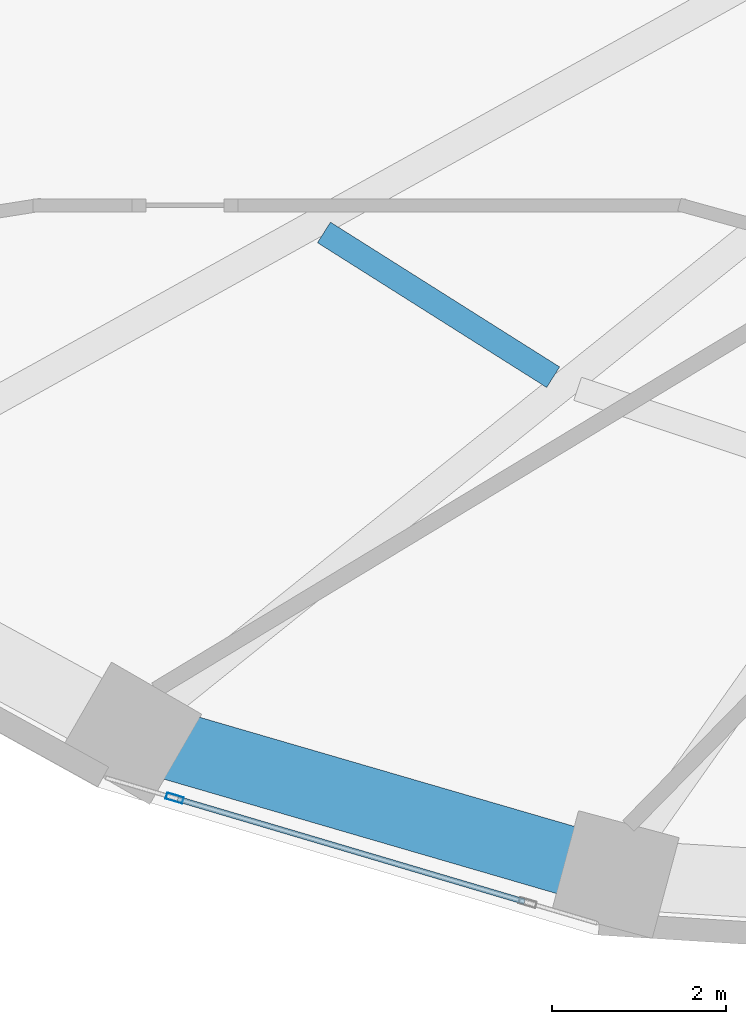
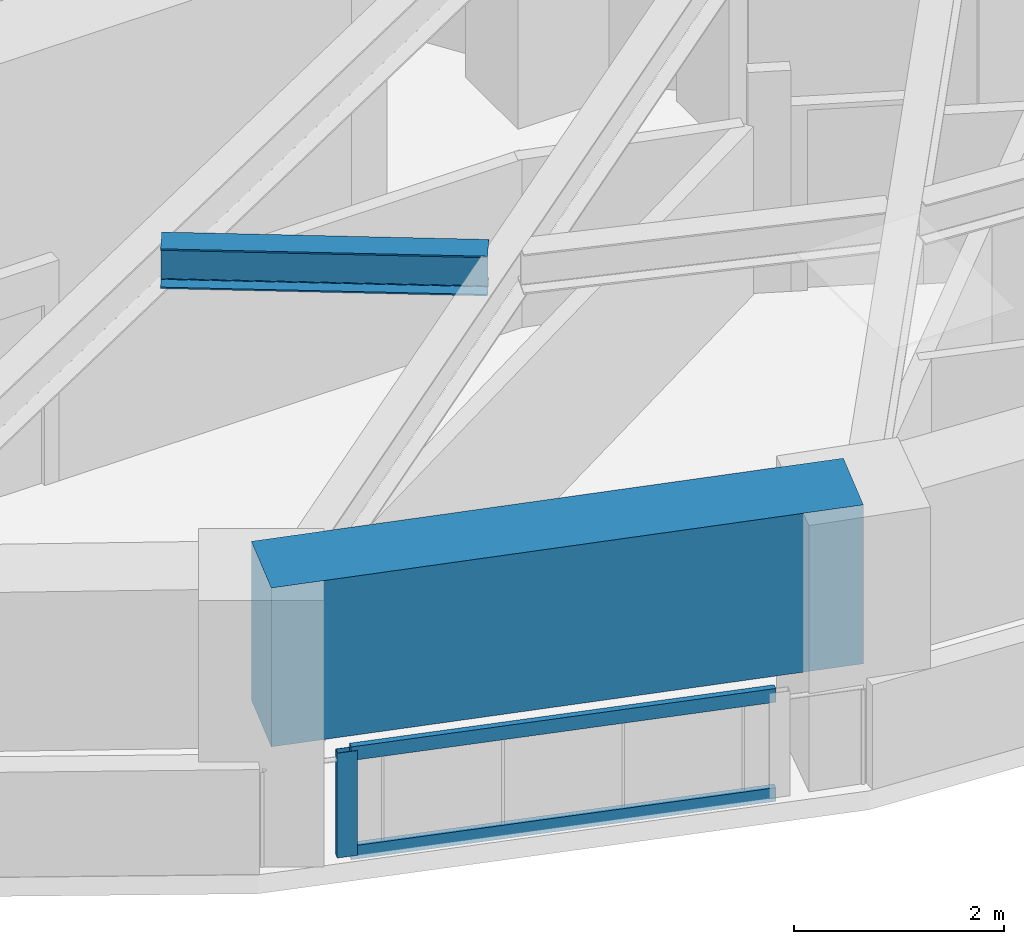
# One storey, part 2 of 22: 3 members, 2 beams, 1 element without a shape of its own.
"""IFC4 building model written with IfcOpenShell, lengths in metres."""

from ifc_helpers import new_model, si_unit, direction, frame, origin, origin_2d, place, context, subcontext, project, spatial, rectangle, hollow_rectangle, i_section, extrude, material, layer, layer_set, material_profile, profile_set, type_object, element, aggregate, save


model = new_model("IFC4")

# Units and contexts
model_context = context("Model", 3, precision=1e-05, world=origin(), true_north=direction((0.0, 1.0)))
body_context = subcontext(model_context, "Body", "Model", "MODEL_VIEW")
ifc_project = project(units=[si_unit("LENGTHUNIT", "METRE"), si_unit("AREAUNIT", "SQUARE_METRE"), si_unit("VOLUMEUNIT", "CUBIC_METRE"), si_unit("PLANEANGLEUNIT", "RADIAN"), si_unit("MASSUNIT", "GRAM", prefix="KILO")], contexts=[model_context])

# Site, building, storey
site_placement = place(None, origin())
site = spatial("IfcSite", under=ifc_project, at=site_placement, CompositionType="ELEMENT")
building_placement = place(site_placement, origin())
building = spatial("IfcBuilding", under=site, at=building_placement, Name="Solvane Sanctuary Tower", CompositionType="ELEMENT")
storey_placement = place(building_placement, frame((0.0, 0.0, 43.10009765625)))
storey = spatial("IfcBuildingStorey", under=building, at=storey_placement, Name="L12", CompositionType="ELEMENT", Elevation=43.10009765625)

# Beams
ifc_material_1 = material(Name="Steel ASTM A992 Grade 50", Category="steel")
ifc_material_profile_1 = material_profile(ifc_material_1, i_section(OverallWidth=0.280029296875, OverallDepth=0.462890625, WebThickness=0.0107421875, FlangeThickness=0.017333984375, FilletRadius=0.013916015625, at=origin_2d()), Name="W18X76")
ifc_profile_set_1 = profile_set([ifc_material_profile_1], Name="Steel ASTM A992 Grade 50")
beam_type_1 = type_object("IfcBeamType", Name="Beam B-SEC-JOIST W18X76", PredefinedType="JOIST", material=ifc_profile_set_1)
beam_1_placement = place(storey_placement, frame((20.499267578125, 13.407470703125, 2.366455078125), z_axis=(0.845524211665, -0.533937081957, 0.0), x_axis=(0.533937081957, 0.845524211665, 0.0)))
element("IfcBeam", 1, at=beam_1_placement, inside=storey, type_object=beam_type_1, Name="L12 Secondary Circumferential Joist 08-09", PredefinedType="JOIST", context=body_context, shape_type="SweptSolid", body=[
    extrude(i_section(OverallWidth=0.280029296875, OverallDepth=0.462890625, WebThickness=0.0107421875, FlangeThickness=0.017333984375, FilletRadius=0.013916015625, at=origin_2d()), origin(), (0.0, 0.0, 1.0), 3.12158203125),
])
ifc_material_2 = material(Name="Concrete C70/85", Category="concrete")
ifc_material_profile_2 = material_profile(ifc_material_2, rectangle(XDim=0.800048828125, YDim=1.85009765625, at=origin_2d()), Name="RC800X1850")
ifc_profile_set_2 = profile_set([ifc_material_profile_2], Name="Concrete C70/85")
beam_type_2 = type_object("IfcBeamType", Name="Beam B-XFER-BLK RC800X1850", PredefinedType="BEAM", material=ifc_profile_set_2)
beam_2_placement = place(storey_placement, frame((18.272705078125, 7.640625, 2.1748046875), z_axis=(0.960089774527, -0.279692017849, 0.0), x_axis=(0.279692017849, 0.960089774527, 0.0)))
element("IfcBeam", 2, at=beam_2_placement, inside=storey, type_object=beam_type_2, Name="L12 Perimeter Step Transfer Ring NTC09-NTC10", PredefinedType="BEAM", context=body_context, shape_type="SweptSolid", body=[
    extrude(rectangle(XDim=0.800048828125, YDim=1.85009765625, at=origin_2d()), origin(), (0.0, 0.0, 1.0), 5.814208984375),
])

# Curtain wall, members
ifc_material_3 = material(Name="Anodised Aluminium 6063-T6", Category="aluminium")
ifc_layer = layer(ifc_material_3, 0.169921875, Name="Anodised Aluminium 6063-T6")
ifc_layer_set = layer_set([ifc_layer], Name="Anodised Aluminium 6063-T6")
curtain_wall_type = type_object("IfcCurtainWallType", Name="Curtain Wall CW-FRIT-Z1", PredefinedType="NOTDEFINED", material=ifc_layer_set)
curtain_wall_placement = place(storey_placement, origin())
curtain_wall = element("IfcCurtainWall", 3, at=curtain_wall_placement, inside=storey, type_object=curtain_wall_type, Name="L12 CW-FRIT-Z1 Facade Run 16", PredefinedType="NOTDEFINED")
ifc_material_profile_3 = material_profile(ifc_material_3, hollow_rectangle(XDim=0.074951171875, YDim=0.199951171875, WallThickness=0.00390625, at=origin_2d()), Name="ALU200X75X4")
ifc_profile_set_3 = profile_set([ifc_material_profile_3], Name="Anodised Aluminium 6063-T6")
member_type_1 = type_object("IfcMemberType", Name="Member M-CW-MUL-1 ALU200X75X4", PredefinedType="MULLION", material=ifc_profile_set_3)
member_1_placement = place(storey_placement, frame((18.7802734375, 6.89453125, 0.0), z_axis=(0.0, 0.0, 1.0), x_axis=(0.283936052018, 0.958843218866, 0.0)))
member_1 = element("IfcMember", 4, at=member_1_placement, type_object=member_type_1, Name="CW-FRIT-Z1 mullion 1", PredefinedType="MULLION", context=body_context, shape_type="SweptSolid", body=[
    extrude(hollow_rectangle(XDim=0.074951171875, YDim=0.199951171875, WallThickness=0.00390625, at=origin_2d()), origin(), (0.0, 0.0, 1.0), 1.219970703125),
])
ifc_material_profile_4 = material_profile(ifc_material_3, hollow_rectangle(XDim=0.06494140625, YDim=0.159912109375, WallThickness=0.00341796875, at=origin_2d()), Name="ALU160X65X3.5")
ifc_profile_set_4 = profile_set([ifc_material_profile_4], Name="Anodised Aluminium 6063-T6")
member_type_2 = type_object("IfcMemberType", Name="Member M-CW-TRN-1 ALU160X65X3.5", PredefinedType="USERDEFINED", material=ifc_profile_set_4)
member_2_placement = place(storey_placement, frame((18.816162109375, 6.8837890625, 0.032470703125), z_axis=(0.958847767463, -0.283920691093, 0.0), x_axis=(0.283920691093, 0.958847767463, 0.0)))
member_2 = element("IfcMember", 5, at=member_2_placement, type_object=member_type_2, Name="CW-FRIT-Z1 transom 1.1", ObjectType="TRANSOM", PredefinedType="USERDEFINED", context=body_context, shape_type="SweptSolid", body=[
    extrude(hollow_rectangle(XDim=0.06494140625, YDim=0.159912109375, WallThickness=0.00341796875, at=origin_2d()), origin(), (0.0, 0.0, 1.0), 4.165283203125),
])
member_3_placement = place(storey_placement, frame((18.816162109375, 6.8837890625, 1.1875), z_axis=(0.958847767463, -0.283920691093, 0.0), x_axis=(0.283920691093, 0.958847767463, 0.0)))
member_3 = element("IfcMember", 6, at=member_3_placement, type_object=member_type_2, Name="CW-FRIT-Z1 transom 1.2", ObjectType="TRANSOM", PredefinedType="USERDEFINED", context=body_context, shape_type="SweptSolid", body=[
    extrude(hollow_rectangle(XDim=0.06494140625, YDim=0.159912109375, WallThickness=0.00341796875, at=origin_2d()), origin(), (0.0, 0.0, 1.0), 4.165283203125),
])
aggregate(curtain_wall, [member_1, member_2, member_3])

save(model, "model.ifc")
